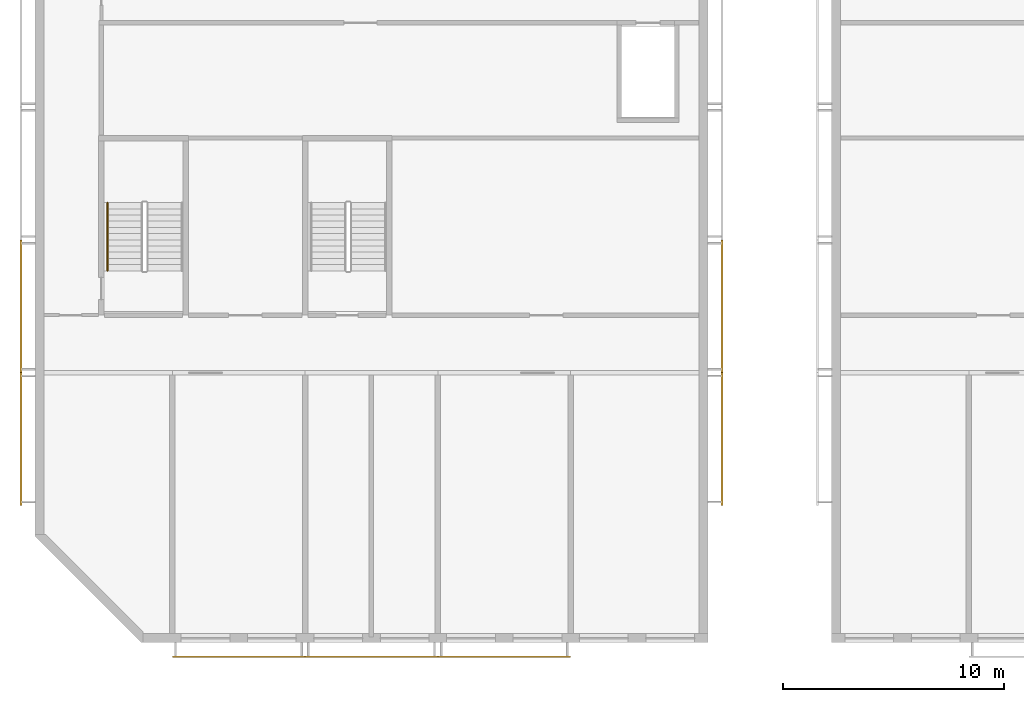
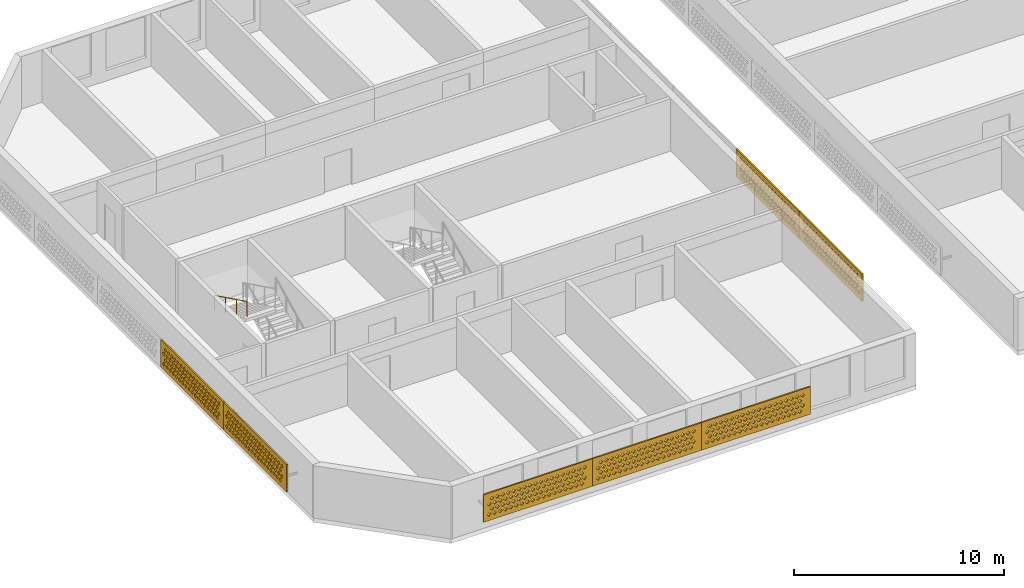
# One storey, part 7 of 18: 7 coverings, 1 railing.
"""IFC4 building model written with IfcOpenShell, lengths in metres."""

from ifc_helpers import new_model, si_unit, direction, frame, origin, origin_2d, place, context, subcontext, project, spatial, polyline, circle, outline, extrude, source, transform, mapped, material, material_profile, profile_set, type_object, element, save


model = new_model("IFC4")

# Units and contexts
model_context = context("Model", 3, precision=1e-05, world=origin(), true_north=direction((0.0, 1.0)))
body_context = subcontext(model_context, "Body", "Model", "MODEL_VIEW")
ifc_project = project(units=[si_unit("LENGTHUNIT", "METRE"), si_unit("AREAUNIT", "SQUARE_METRE"), si_unit("VOLUMEUNIT", "CUBIC_METRE"), si_unit("PLANEANGLEUNIT", "RADIAN"), si_unit("MASSUNIT", "GRAM", prefix="KILO")], contexts=[model_context])

# Site, building, storey
site_placement = place(None, origin())
site = spatial("IfcSite", under=ifc_project, at=site_placement, CompositionType="ELEMENT")
building_placement = place(site_placement, origin())
building = spatial("IfcBuilding", under=site, at=building_placement, Name="Poui Terraces", CompositionType="ELEMENT")
storey_placement = place(building_placement, frame((0.0, 0.0, 279.0)))
storey = spatial("IfcBuildingStorey", under=building, at=storey_placement, Name="L77 CROWN", CompositionType="ELEMENT", Elevation=279.0)

# Railing
ifc_material_1 = material(Name="Stainless steel handrail", Category="steel")
railing_type = type_object("IfcRailingType", Name="STAIR HANDRAIL 900", PredefinedType="HANDRAIL", material=ifc_material_1)
railing_placement = place(storey_placement, frame((21.074951171875, 19.679931640625, 1.78759765625)))
element("IfcRailing", 1, at=railing_placement, inside=storey, type_object=railing_type, Name="L77 CROWN ST-W stair handrail 2", PredefinedType="HANDRAIL", context=body_context, shape_type="SweptSolid", body=[
    extrude(circle(Radius=0.02392578125, at=origin_2d()), frame((0.0, 0.0, 0.8759765625), z_axis=(0.0, -0.897606190399, 0.440798283751), x_axis=(1.0, 0.0, 0.0)), (0.0, 0.0, 1.0), 3.43115234375),
    extrude(circle(Radius=0.02099609375, at=origin_2d()), origin(), (0.0, 0.0, 1.0), 0.851806640625),
    extrude(circle(Radius=0.02099609375, at=origin_2d()), frame((0.0, -1.026611328125, 0.504150390625)), (0.0, 0.0, 1.0), 0.851806640625),
    extrude(circle(Radius=0.02099609375, at=origin_2d()), frame((0.0, -2.05322265625, 1.00830078125)), (0.0, 0.0, 1.0), 0.851806640625),
    extrude(circle(Radius=0.02099609375, at=origin_2d()), frame((0.0, -3.079833984375, 1.512451171875)), (0.0, 0.0, 1.0), 0.851806640625),
])

# Coverings
ifc_material_2 = material(Name="Terracotta screen", Category="masonry")
ifc_material_profile = material_profile(ifc_material_2, outline(polyline([(-3.0, -0.800048828125), (3.0, -0.800048828125), (3.0, 0.800048828125), (-3.0, 0.800048828125), (-3.0, -0.800048828125)]), holes=[polyline([(-2.800048828125, -0.449951171875), (-2.68994140625, -0.56005859375), (-2.580078125, -0.449951171875), (-2.68994140625, -0.340087890625), (-2.800048828125, -0.449951171875)]), polyline([(-2.5, -0.449951171875), (-2.389892578125, -0.56005859375), (-2.280029296875, -0.449951171875), (-2.389892578125, -0.340087890625), (-2.5, -0.449951171875)]), polyline([(-2.199951171875, -0.449951171875), (-2.090087890625, -0.56005859375), (-1.97998046875, -0.449951171875), (-2.090087890625, -0.340087890625), (-2.199951171875, -0.449951171875)]), polyline([(-1.89990234375, -0.449951171875), (-1.7900390625, -0.56005859375), (-1.679931640625, -0.449951171875), (-1.7900390625, -0.340087890625), (-1.89990234375, -0.449951171875)]), polyline([(-1.60009765625, -0.449951171875), (-1.489990234375, -0.56005859375), (-1.3798828125, -0.449951171875), (-1.489990234375, -0.340087890625), (-1.60009765625, -0.449951171875)]), polyline([(-1.300048828125, -0.449951171875), (-1.18994140625, -0.56005859375), (-1.080078125, -0.449951171875), (-1.18994140625, -0.340087890625), (-1.300048828125, -0.449951171875)]), polyline([(-1.0, -0.449951171875), (-0.889892578125, -0.56005859375), (-0.780029296875, -0.449951171875), (-0.889892578125, -0.340087890625), (-1.0, -0.449951171875)]), polyline([(-0.699951171875, -0.449951171875), (-0.590087890625, -0.56005859375), (-0.47998046875, -0.449951171875), (-0.590087890625, -0.340087890625), (-0.699951171875, -0.449951171875)]), polyline([(-0.39990234375, -0.449951171875), (-0.2900390625, -0.56005859375), (-0.179931640625, -0.449951171875), (-0.2900390625, -0.340087890625), (-0.39990234375, -0.449951171875)]), polyline([(-0.10009765625, -0.449951171875), (0.010009765625, -0.56005859375), (0.1201171875, -0.449951171875), (0.010009765625, -0.340087890625), (-0.10009765625, -0.449951171875)]), polyline([(0.199951171875, -0.449951171875), (0.31005859375, -0.56005859375), (0.419921875, -0.449951171875), (0.31005859375, -0.340087890625), (0.199951171875, -0.449951171875)]), polyline([(0.5, -0.449951171875), (0.610107421875, -0.56005859375), (0.719970703125, -0.449951171875), (0.610107421875, -0.340087890625), (0.5, -0.449951171875)]), polyline([(0.800048828125, -0.449951171875), (0.909912109375, -0.56005859375), (1.02001953125, -0.449951171875), (0.909912109375, -0.340087890625), (0.800048828125, -0.449951171875)]), polyline([(1.10009765625, -0.449951171875), (1.2099609375, -0.56005859375), (1.320068359375, -0.449951171875), (1.2099609375, -0.340087890625), (1.10009765625, -0.449951171875)]), polyline([(1.39990234375, -0.449951171875), (1.510009765625, -0.56005859375), (1.6201171875, -0.449951171875), (1.510009765625, -0.340087890625), (1.39990234375, -0.449951171875)]), polyline([(1.699951171875, -0.449951171875), (1.81005859375, -0.56005859375), (1.919921875, -0.449951171875), (1.81005859375, -0.340087890625), (1.699951171875, -0.449951171875)]), polyline([(2.0, -0.449951171875), (2.110107421875, -0.56005859375), (2.219970703125, -0.449951171875), (2.110107421875, -0.340087890625), (2.0, -0.449951171875)]), polyline([(2.300048828125, -0.449951171875), (2.409912109375, -0.56005859375), (2.52001953125, -0.449951171875), (2.409912109375, -0.340087890625), (2.300048828125, -0.449951171875)]), polyline([(-2.64990234375, -0.14990234375), (-2.5400390625, -0.260009765625), (-2.429931640625, -0.14990234375), (-2.5400390625, -0.0400390625), (-2.64990234375, -0.14990234375)]), polyline([(-2.35009765625, -0.14990234375), (-2.239990234375, -0.260009765625), (-2.1298828125, -0.14990234375), (-2.239990234375, -0.0400390625), (-2.35009765625, -0.14990234375)]), polyline([(-2.050048828125, -0.14990234375), (-1.93994140625, -0.260009765625), (-1.830078125, -0.14990234375), (-1.93994140625, -0.0400390625), (-2.050048828125, -0.14990234375)]), polyline([(-1.75, -0.14990234375), (-1.639892578125, -0.260009765625), (-1.530029296875, -0.14990234375), (-1.639892578125, -0.0400390625), (-1.75, -0.14990234375)]), polyline([(-1.449951171875, -0.14990234375), (-1.340087890625, -0.260009765625), (-1.22998046875, -0.14990234375), (-1.340087890625, -0.0400390625), (-1.449951171875, -0.14990234375)]), polyline([(-1.14990234375, -0.14990234375), (-1.0400390625, -0.260009765625), (-0.929931640625, -0.14990234375), (-1.0400390625, -0.0400390625), (-1.14990234375, -0.14990234375)]), polyline([(-0.85009765625, -0.14990234375), (-0.739990234375, -0.260009765625), (-0.6298828125, -0.14990234375), (-0.739990234375, -0.0400390625), (-0.85009765625, -0.14990234375)]), polyline([(-0.550048828125, -0.14990234375), (-0.43994140625, -0.260009765625), (-0.330078125, -0.14990234375), (-0.43994140625, -0.0400390625), (-0.550048828125, -0.14990234375)]), polyline([(-0.25, -0.14990234375), (-0.139892578125, -0.260009765625), (-0.030029296875, -0.14990234375), (-0.139892578125, -0.0400390625), (-0.25, -0.14990234375)]), polyline([(0.050048828125, -0.14990234375), (0.159912109375, -0.260009765625), (0.27001953125, -0.14990234375), (0.159912109375, -0.0400390625), (0.050048828125, -0.14990234375)]), polyline([(0.35009765625, -0.14990234375), (0.4599609375, -0.260009765625), (0.570068359375, -0.14990234375), (0.4599609375, -0.0400390625), (0.35009765625, -0.14990234375)]), polyline([(0.64990234375, -0.14990234375), (0.760009765625, -0.260009765625), (0.8701171875, -0.14990234375), (0.760009765625, -0.0400390625), (0.64990234375, -0.14990234375)]), polyline([(0.949951171875, -0.14990234375), (1.06005859375, -0.260009765625), (1.169921875, -0.14990234375), (1.06005859375, -0.0400390625), (0.949951171875, -0.14990234375)]), polyline([(1.25, -0.14990234375), (1.360107421875, -0.260009765625), (1.469970703125, -0.14990234375), (1.360107421875, -0.0400390625), (1.25, -0.14990234375)]), polyline([(1.550048828125, -0.14990234375), (1.659912109375, -0.260009765625), (1.77001953125, -0.14990234375), (1.659912109375, -0.0400390625), (1.550048828125, -0.14990234375)]), polyline([(1.85009765625, -0.14990234375), (1.9599609375, -0.260009765625), (2.070068359375, -0.14990234375), (1.9599609375, -0.0400390625), (1.85009765625, -0.14990234375)]), polyline([(2.14990234375, -0.14990234375), (2.260009765625, -0.260009765625), (2.3701171875, -0.14990234375), (2.260009765625, -0.0400390625), (2.14990234375, -0.14990234375)]), polyline([(2.449951171875, -0.14990234375), (2.56005859375, -0.260009765625), (2.669921875, -0.14990234375), (2.56005859375, -0.0400390625), (2.449951171875, -0.14990234375)]), polyline([(-2.800048828125, 0.14990234375), (-2.68994140625, 0.0400390625), (-2.580078125, 0.14990234375), (-2.68994140625, 0.260009765625), (-2.800048828125, 0.14990234375)]), polyline([(-2.5, 0.14990234375), (-2.389892578125, 0.0400390625), (-2.280029296875, 0.14990234375), (-2.389892578125, 0.260009765625), (-2.5, 0.14990234375)]), polyline([(-2.199951171875, 0.14990234375), (-2.090087890625, 0.0400390625), (-1.97998046875, 0.14990234375), (-2.090087890625, 0.260009765625), (-2.199951171875, 0.14990234375)]), polyline([(-1.89990234375, 0.14990234375), (-1.7900390625, 0.0400390625), (-1.679931640625, 0.14990234375), (-1.7900390625, 0.260009765625), (-1.89990234375, 0.14990234375)]), polyline([(-1.60009765625, 0.14990234375), (-1.489990234375, 0.0400390625), (-1.3798828125, 0.14990234375), (-1.489990234375, 0.260009765625), (-1.60009765625, 0.14990234375)]), polyline([(-1.300048828125, 0.14990234375), (-1.18994140625, 0.0400390625), (-1.080078125, 0.14990234375), (-1.18994140625, 0.260009765625), (-1.300048828125, 0.14990234375)]), polyline([(-1.0, 0.14990234375), (-0.889892578125, 0.0400390625), (-0.780029296875, 0.14990234375), (-0.889892578125, 0.260009765625), (-1.0, 0.14990234375)]), polyline([(-0.699951171875, 0.14990234375), (-0.590087890625, 0.0400390625), (-0.47998046875, 0.14990234375), (-0.590087890625, 0.260009765625), (-0.699951171875, 0.14990234375)]), polyline([(-0.39990234375, 0.14990234375), (-0.2900390625, 0.0400390625), (-0.179931640625, 0.14990234375), (-0.2900390625, 0.260009765625), (-0.39990234375, 0.14990234375)]), polyline([(-0.10009765625, 0.14990234375), (0.010009765625, 0.0400390625), (0.1201171875, 0.14990234375), (0.010009765625, 0.260009765625), (-0.10009765625, 0.14990234375)]), polyline([(0.199951171875, 0.14990234375), (0.31005859375, 0.0400390625), (0.419921875, 0.14990234375), (0.31005859375, 0.260009765625), (0.199951171875, 0.14990234375)]), polyline([(0.5, 0.14990234375), (0.610107421875, 0.0400390625), (0.719970703125, 0.14990234375), (0.610107421875, 0.260009765625), (0.5, 0.14990234375)]), polyline([(0.800048828125, 0.14990234375), (0.909912109375, 0.0400390625), (1.02001953125, 0.14990234375), (0.909912109375, 0.260009765625), (0.800048828125, 0.14990234375)]), polyline([(1.10009765625, 0.14990234375), (1.2099609375, 0.0400390625), (1.320068359375, 0.14990234375), (1.2099609375, 0.260009765625), (1.10009765625, 0.14990234375)]), polyline([(1.39990234375, 0.14990234375), (1.510009765625, 0.0400390625), (1.6201171875, 0.14990234375), (1.510009765625, 0.260009765625), (1.39990234375, 0.14990234375)]), polyline([(1.699951171875, 0.14990234375), (1.81005859375, 0.0400390625), (1.919921875, 0.14990234375), (1.81005859375, 0.260009765625), (1.699951171875, 0.14990234375)]), polyline([(2.0, 0.14990234375), (2.110107421875, 0.0400390625), (2.219970703125, 0.14990234375), (2.110107421875, 0.260009765625), (2.0, 0.14990234375)]), polyline([(2.300048828125, 0.14990234375), (2.409912109375, 0.0400390625), (2.52001953125, 0.14990234375), (2.409912109375, 0.260009765625), (2.300048828125, 0.14990234375)]), polyline([(-2.64990234375, 0.449951171875), (-2.5400390625, 0.340087890625), (-2.429931640625, 0.449951171875), (-2.5400390625, 0.56005859375), (-2.64990234375, 0.449951171875)]), polyline([(-2.35009765625, 0.449951171875), (-2.239990234375, 0.340087890625), (-2.1298828125, 0.449951171875), (-2.239990234375, 0.56005859375), (-2.35009765625, 0.449951171875)]), polyline([(-2.050048828125, 0.449951171875), (-1.93994140625, 0.340087890625), (-1.830078125, 0.449951171875), (-1.93994140625, 0.56005859375), (-2.050048828125, 0.449951171875)]), polyline([(-1.75, 0.449951171875), (-1.639892578125, 0.340087890625), (-1.530029296875, 0.449951171875), (-1.639892578125, 0.56005859375), (-1.75, 0.449951171875)]), polyline([(-1.449951171875, 0.449951171875), (-1.340087890625, 0.340087890625), (-1.22998046875, 0.449951171875), (-1.340087890625, 0.56005859375), (-1.449951171875, 0.449951171875)]), polyline([(-1.14990234375, 0.449951171875), (-1.0400390625, 0.340087890625), (-0.929931640625, 0.449951171875), (-1.0400390625, 0.56005859375), (-1.14990234375, 0.449951171875)]), polyline([(-0.85009765625, 0.449951171875), (-0.739990234375, 0.340087890625), (-0.6298828125, 0.449951171875), (-0.739990234375, 0.56005859375), (-0.85009765625, 0.449951171875)]), polyline([(-0.550048828125, 0.449951171875), (-0.43994140625, 0.340087890625), (-0.330078125, 0.449951171875), (-0.43994140625, 0.56005859375), (-0.550048828125, 0.449951171875)]), polyline([(-0.25, 0.449951171875), (-0.139892578125, 0.340087890625), (-0.030029296875, 0.449951171875), (-0.139892578125, 0.56005859375), (-0.25, 0.449951171875)]), polyline([(0.050048828125, 0.449951171875), (0.159912109375, 0.340087890625), (0.27001953125, 0.449951171875), (0.159912109375, 0.56005859375), (0.050048828125, 0.449951171875)]), polyline([(0.35009765625, 0.449951171875), (0.4599609375, 0.340087890625), (0.570068359375, 0.449951171875), (0.4599609375, 0.56005859375), (0.35009765625, 0.449951171875)]), polyline([(0.64990234375, 0.449951171875), (0.760009765625, 0.340087890625), (0.8701171875, 0.449951171875), (0.760009765625, 0.56005859375), (0.64990234375, 0.449951171875)]), polyline([(0.949951171875, 0.449951171875), (1.06005859375, 0.340087890625), (1.169921875, 0.449951171875), (1.06005859375, 0.56005859375), (0.949951171875, 0.449951171875)]), polyline([(1.25, 0.449951171875), (1.360107421875, 0.340087890625), (1.469970703125, 0.449951171875), (1.360107421875, 0.56005859375), (1.25, 0.449951171875)]), polyline([(1.550048828125, 0.449951171875), (1.659912109375, 0.340087890625), (1.77001953125, 0.449951171875), (1.659912109375, 0.56005859375), (1.550048828125, 0.449951171875)]), polyline([(1.85009765625, 0.449951171875), (1.9599609375, 0.340087890625), (2.070068359375, 0.449951171875), (1.9599609375, 0.56005859375), (1.85009765625, 0.449951171875)]), polyline([(2.14990234375, 0.449951171875), (2.260009765625, 0.340087890625), (2.3701171875, 0.449951171875), (2.260009765625, 0.56005859375), (2.14990234375, 0.449951171875)]), polyline([(2.449951171875, 0.449951171875), (2.56005859375, 0.340087890625), (2.669921875, 0.449951171875), (2.56005859375, 0.56005859375), (2.449951171875, 0.449951171875)])]), Name="TERRACOTTA SOLAR SCREEN 6000X1600")
ifc_profile_set = profile_set([ifc_material_profile], Name="Terracotta screen")
covering_type = type_object("IfcCoveringType", Name="TERRACOTTA SOLAR SCREEN 6000X1600", PredefinedType="CLADDING", material=ifc_profile_set)
shared_shape = source(origin(), body_context, "Body", "SweptSolid", [
    extrude(outline(polyline([(-3.0, -0.800048828125), (3.0, -0.800048828125), (3.0, 0.800048828125), (-3.0, 0.800048828125), (-3.0, -0.800048828125)]), holes=[polyline([(-2.800048828125, -0.449951171875), (-2.68994140625, -0.56005859375), (-2.580078125, -0.449951171875), (-2.68994140625, -0.340087890625), (-2.800048828125, -0.449951171875)]), polyline([(-2.5, -0.449951171875), (-2.389892578125, -0.56005859375), (-2.280029296875, -0.449951171875), (-2.389892578125, -0.340087890625), (-2.5, -0.449951171875)]), polyline([(-2.199951171875, -0.449951171875), (-2.090087890625, -0.56005859375), (-1.97998046875, -0.449951171875), (-2.090087890625, -0.340087890625), (-2.199951171875, -0.449951171875)]), polyline([(-1.89990234375, -0.449951171875), (-1.7900390625, -0.56005859375), (-1.679931640625, -0.449951171875), (-1.7900390625, -0.340087890625), (-1.89990234375, -0.449951171875)]), polyline([(-1.60009765625, -0.449951171875), (-1.489990234375, -0.56005859375), (-1.3798828125, -0.449951171875), (-1.489990234375, -0.340087890625), (-1.60009765625, -0.449951171875)]), polyline([(-1.300048828125, -0.449951171875), (-1.18994140625, -0.56005859375), (-1.080078125, -0.449951171875), (-1.18994140625, -0.340087890625), (-1.300048828125, -0.449951171875)]), polyline([(-1.0, -0.449951171875), (-0.889892578125, -0.56005859375), (-0.780029296875, -0.449951171875), (-0.889892578125, -0.340087890625), (-1.0, -0.449951171875)]), polyline([(-0.699951171875, -0.449951171875), (-0.590087890625, -0.56005859375), (-0.47998046875, -0.449951171875), (-0.590087890625, -0.340087890625), (-0.699951171875, -0.449951171875)]), polyline([(-0.39990234375, -0.449951171875), (-0.2900390625, -0.56005859375), (-0.179931640625, -0.449951171875), (-0.2900390625, -0.340087890625), (-0.39990234375, -0.449951171875)]), polyline([(-0.10009765625, -0.449951171875), (0.010009765625, -0.56005859375), (0.1201171875, -0.449951171875), (0.010009765625, -0.340087890625), (-0.10009765625, -0.449951171875)]), polyline([(0.199951171875, -0.449951171875), (0.31005859375, -0.56005859375), (0.419921875, -0.449951171875), (0.31005859375, -0.340087890625), (0.199951171875, -0.449951171875)]), polyline([(0.5, -0.449951171875), (0.610107421875, -0.56005859375), (0.719970703125, -0.449951171875), (0.610107421875, -0.340087890625), (0.5, -0.449951171875)]), polyline([(0.800048828125, -0.449951171875), (0.909912109375, -0.56005859375), (1.02001953125, -0.449951171875), (0.909912109375, -0.340087890625), (0.800048828125, -0.449951171875)]), polyline([(1.10009765625, -0.449951171875), (1.2099609375, -0.56005859375), (1.320068359375, -0.449951171875), (1.2099609375, -0.340087890625), (1.10009765625, -0.449951171875)]), polyline([(1.39990234375, -0.449951171875), (1.510009765625, -0.56005859375), (1.6201171875, -0.449951171875), (1.510009765625, -0.340087890625), (1.39990234375, -0.449951171875)]), polyline([(1.699951171875, -0.449951171875), (1.81005859375, -0.56005859375), (1.919921875, -0.449951171875), (1.81005859375, -0.340087890625), (1.699951171875, -0.449951171875)]), polyline([(2.0, -0.449951171875), (2.110107421875, -0.56005859375), (2.219970703125, -0.449951171875), (2.110107421875, -0.340087890625), (2.0, -0.449951171875)]), polyline([(2.300048828125, -0.449951171875), (2.409912109375, -0.56005859375), (2.52001953125, -0.449951171875), (2.409912109375, -0.340087890625), (2.300048828125, -0.449951171875)]), polyline([(-2.64990234375, -0.14990234375), (-2.5400390625, -0.260009765625), (-2.429931640625, -0.14990234375), (-2.5400390625, -0.0400390625), (-2.64990234375, -0.14990234375)]), polyline([(-2.35009765625, -0.14990234375), (-2.239990234375, -0.260009765625), (-2.1298828125, -0.14990234375), (-2.239990234375, -0.0400390625), (-2.35009765625, -0.14990234375)]), polyline([(-2.050048828125, -0.14990234375), (-1.93994140625, -0.260009765625), (-1.830078125, -0.14990234375), (-1.93994140625, -0.0400390625), (-2.050048828125, -0.14990234375)]), polyline([(-1.75, -0.14990234375), (-1.639892578125, -0.260009765625), (-1.530029296875, -0.14990234375), (-1.639892578125, -0.0400390625), (-1.75, -0.14990234375)]), polyline([(-1.449951171875, -0.14990234375), (-1.340087890625, -0.260009765625), (-1.22998046875, -0.14990234375), (-1.340087890625, -0.0400390625), (-1.449951171875, -0.14990234375)]), polyline([(-1.14990234375, -0.14990234375), (-1.0400390625, -0.260009765625), (-0.929931640625, -0.14990234375), (-1.0400390625, -0.0400390625), (-1.14990234375, -0.14990234375)]), polyline([(-0.85009765625, -0.14990234375), (-0.739990234375, -0.260009765625), (-0.6298828125, -0.14990234375), (-0.739990234375, -0.0400390625), (-0.85009765625, -0.14990234375)]), polyline([(-0.550048828125, -0.14990234375), (-0.43994140625, -0.260009765625), (-0.330078125, -0.14990234375), (-0.43994140625, -0.0400390625), (-0.550048828125, -0.14990234375)]), polyline([(-0.25, -0.14990234375), (-0.139892578125, -0.260009765625), (-0.030029296875, -0.14990234375), (-0.139892578125, -0.0400390625), (-0.25, -0.14990234375)]), polyline([(0.050048828125, -0.14990234375), (0.159912109375, -0.260009765625), (0.27001953125, -0.14990234375), (0.159912109375, -0.0400390625), (0.050048828125, -0.14990234375)]), polyline([(0.35009765625, -0.14990234375), (0.4599609375, -0.260009765625), (0.570068359375, -0.14990234375), (0.4599609375, -0.0400390625), (0.35009765625, -0.14990234375)]), polyline([(0.64990234375, -0.14990234375), (0.760009765625, -0.260009765625), (0.8701171875, -0.14990234375), (0.760009765625, -0.0400390625), (0.64990234375, -0.14990234375)]), polyline([(0.949951171875, -0.14990234375), (1.06005859375, -0.260009765625), (1.169921875, -0.14990234375), (1.06005859375, -0.0400390625), (0.949951171875, -0.14990234375)]), polyline([(1.25, -0.14990234375), (1.360107421875, -0.260009765625), (1.469970703125, -0.14990234375), (1.360107421875, -0.0400390625), (1.25, -0.14990234375)]), polyline([(1.550048828125, -0.14990234375), (1.659912109375, -0.260009765625), (1.77001953125, -0.14990234375), (1.659912109375, -0.0400390625), (1.550048828125, -0.14990234375)]), polyline([(1.85009765625, -0.14990234375), (1.9599609375, -0.260009765625), (2.070068359375, -0.14990234375), (1.9599609375, -0.0400390625), (1.85009765625, -0.14990234375)]), polyline([(2.14990234375, -0.14990234375), (2.260009765625, -0.260009765625), (2.3701171875, -0.14990234375), (2.260009765625, -0.0400390625), (2.14990234375, -0.14990234375)]), polyline([(2.449951171875, -0.14990234375), (2.56005859375, -0.260009765625), (2.669921875, -0.14990234375), (2.56005859375, -0.0400390625), (2.449951171875, -0.14990234375)]), polyline([(-2.800048828125, 0.14990234375), (-2.68994140625, 0.0400390625), (-2.580078125, 0.14990234375), (-2.68994140625, 0.260009765625), (-2.800048828125, 0.14990234375)]), polyline([(-2.5, 0.14990234375), (-2.389892578125, 0.0400390625), (-2.280029296875, 0.14990234375), (-2.389892578125, 0.260009765625), (-2.5, 0.14990234375)]), polyline([(-2.199951171875, 0.14990234375), (-2.090087890625, 0.0400390625), (-1.97998046875, 0.14990234375), (-2.090087890625, 0.260009765625), (-2.199951171875, 0.14990234375)]), polyline([(-1.89990234375, 0.14990234375), (-1.7900390625, 0.0400390625), (-1.679931640625, 0.14990234375), (-1.7900390625, 0.260009765625), (-1.89990234375, 0.14990234375)]), polyline([(-1.60009765625, 0.14990234375), (-1.489990234375, 0.0400390625), (-1.3798828125, 0.14990234375), (-1.489990234375, 0.260009765625), (-1.60009765625, 0.14990234375)]), polyline([(-1.300048828125, 0.14990234375), (-1.18994140625, 0.0400390625), (-1.080078125, 0.14990234375), (-1.18994140625, 0.260009765625), (-1.300048828125, 0.14990234375)]), polyline([(-1.0, 0.14990234375), (-0.889892578125, 0.0400390625), (-0.780029296875, 0.14990234375), (-0.889892578125, 0.260009765625), (-1.0, 0.14990234375)]), polyline([(-0.699951171875, 0.14990234375), (-0.590087890625, 0.0400390625), (-0.47998046875, 0.14990234375), (-0.590087890625, 0.260009765625), (-0.699951171875, 0.14990234375)]), polyline([(-0.39990234375, 0.14990234375), (-0.2900390625, 0.0400390625), (-0.179931640625, 0.14990234375), (-0.2900390625, 0.260009765625), (-0.39990234375, 0.14990234375)]), polyline([(-0.10009765625, 0.14990234375), (0.010009765625, 0.0400390625), (0.1201171875, 0.14990234375), (0.010009765625, 0.260009765625), (-0.10009765625, 0.14990234375)]), polyline([(0.199951171875, 0.14990234375), (0.31005859375, 0.0400390625), (0.419921875, 0.14990234375), (0.31005859375, 0.260009765625), (0.199951171875, 0.14990234375)]), polyline([(0.5, 0.14990234375), (0.610107421875, 0.0400390625), (0.719970703125, 0.14990234375), (0.610107421875, 0.260009765625), (0.5, 0.14990234375)]), polyline([(0.800048828125, 0.14990234375), (0.909912109375, 0.0400390625), (1.02001953125, 0.14990234375), (0.909912109375, 0.260009765625), (0.800048828125, 0.14990234375)]), polyline([(1.10009765625, 0.14990234375), (1.2099609375, 0.0400390625), (1.320068359375, 0.14990234375), (1.2099609375, 0.260009765625), (1.10009765625, 0.14990234375)]), polyline([(1.39990234375, 0.14990234375), (1.510009765625, 0.0400390625), (1.6201171875, 0.14990234375), (1.510009765625, 0.260009765625), (1.39990234375, 0.14990234375)]), polyline([(1.699951171875, 0.14990234375), (1.81005859375, 0.0400390625), (1.919921875, 0.14990234375), (1.81005859375, 0.260009765625), (1.699951171875, 0.14990234375)]), polyline([(2.0, 0.14990234375), (2.110107421875, 0.0400390625), (2.219970703125, 0.14990234375), (2.110107421875, 0.260009765625), (2.0, 0.14990234375)]), polyline([(2.300048828125, 0.14990234375), (2.409912109375, 0.0400390625), (2.52001953125, 0.14990234375), (2.409912109375, 0.260009765625), (2.300048828125, 0.14990234375)]), polyline([(-2.64990234375, 0.449951171875), (-2.5400390625, 0.340087890625), (-2.429931640625, 0.449951171875), (-2.5400390625, 0.56005859375), (-2.64990234375, 0.449951171875)]), polyline([(-2.35009765625, 0.449951171875), (-2.239990234375, 0.340087890625), (-2.1298828125, 0.449951171875), (-2.239990234375, 0.56005859375), (-2.35009765625, 0.449951171875)]), polyline([(-2.050048828125, 0.449951171875), (-1.93994140625, 0.340087890625), (-1.830078125, 0.449951171875), (-1.93994140625, 0.56005859375), (-2.050048828125, 0.449951171875)]), polyline([(-1.75, 0.449951171875), (-1.639892578125, 0.340087890625), (-1.530029296875, 0.449951171875), (-1.639892578125, 0.56005859375), (-1.75, 0.449951171875)]), polyline([(-1.449951171875, 0.449951171875), (-1.340087890625, 0.340087890625), (-1.22998046875, 0.449951171875), (-1.340087890625, 0.56005859375), (-1.449951171875, 0.449951171875)]), polyline([(-1.14990234375, 0.449951171875), (-1.0400390625, 0.340087890625), (-0.929931640625, 0.449951171875), (-1.0400390625, 0.56005859375), (-1.14990234375, 0.449951171875)]), polyline([(-0.85009765625, 0.449951171875), (-0.739990234375, 0.340087890625), (-0.6298828125, 0.449951171875), (-0.739990234375, 0.56005859375), (-0.85009765625, 0.449951171875)]), polyline([(-0.550048828125, 0.449951171875), (-0.43994140625, 0.340087890625), (-0.330078125, 0.449951171875), (-0.43994140625, 0.56005859375), (-0.550048828125, 0.449951171875)]), polyline([(-0.25, 0.449951171875), (-0.139892578125, 0.340087890625), (-0.030029296875, 0.449951171875), (-0.139892578125, 0.56005859375), (-0.25, 0.449951171875)]), polyline([(0.050048828125, 0.449951171875), (0.159912109375, 0.340087890625), (0.27001953125, 0.449951171875), (0.159912109375, 0.56005859375), (0.050048828125, 0.449951171875)]), polyline([(0.35009765625, 0.449951171875), (0.4599609375, 0.340087890625), (0.570068359375, 0.449951171875), (0.4599609375, 0.56005859375), (0.35009765625, 0.449951171875)]), polyline([(0.64990234375, 0.449951171875), (0.760009765625, 0.340087890625), (0.8701171875, 0.449951171875), (0.760009765625, 0.56005859375), (0.64990234375, 0.449951171875)]), polyline([(0.949951171875, 0.449951171875), (1.06005859375, 0.340087890625), (1.169921875, 0.449951171875), (1.06005859375, 0.56005859375), (0.949951171875, 0.449951171875)]), polyline([(1.25, 0.449951171875), (1.360107421875, 0.340087890625), (1.469970703125, 0.449951171875), (1.360107421875, 0.56005859375), (1.25, 0.449951171875)]), polyline([(1.550048828125, 0.449951171875), (1.659912109375, 0.340087890625), (1.77001953125, 0.449951171875), (1.659912109375, 0.56005859375), (1.550048828125, 0.449951171875)]), polyline([(1.85009765625, 0.449951171875), (1.9599609375, 0.340087890625), (2.070068359375, 0.449951171875), (1.9599609375, 0.56005859375), (1.85009765625, 0.449951171875)]), polyline([(2.14990234375, 0.449951171875), (2.260009765625, 0.340087890625), (2.3701171875, 0.449951171875), (2.260009765625, 0.56005859375), (2.14990234375, 0.449951171875)]), polyline([(2.449951171875, 0.449951171875), (2.56005859375, 0.340087890625), (2.669921875, 0.449951171875), (2.56005859375, 0.56005859375), (2.449951171875, 0.449951171875)])]), origin(), (0.0, 0.0, 1.0), 0.079833984375),
])
for number, where, z_axis, x_axis, name in (
    (2, (27.0, -0.800048828125, 1.699951171875), (0.0, -1.0, 0.0), (1.0, 0.0, 0.0), "SOLAR SCREEN"),
    (3, (33.0, -0.800048828125, 1.699951171875), (0.0, -1.0, 0.0), (1.0, 0.0, 0.0), "SOLAR SCREEN"),
    (4, (39.0, -0.800048828125, 1.699951171875), (0.0, -1.0, 0.0), (1.0, 0.0, 0.0), "SOLAR SCREEN"),
    (5, (48.800048828125, 9.0, 1.699951171875), (1.0, 0.0, 0.0), (0.0, 1.0, 0.0), "SOLAR SCREEN"),
    (6, (48.800048828125, 15.0, 1.699951171875), (1.0, 0.0, 0.0), (0.0, 1.0, 0.0), "SOLAR SCREEN"),
    (7, (17.199951171875, 9.0, 1.699951171875), (-1.0, 0.0, 0.0), (0.0, -1.0, 0.0), "SOLAR SCREEN"),
    (8, (17.199951171875, 15.0, 1.699951171875), (-1.0, 0.0, 0.0), (0.0, -1.0, 0.0), "SOLAR SCREEN"),
):
    element("IfcCovering", number, at=place(storey_placement, frame(where, z_axis=z_axis, x_axis=x_axis)), inside=storey, type_object=covering_type, Name=name, PredefinedType="CLADDING", context=body_context, shape_type="MappedRepresentation", body=[
        mapped(shared_shape, transform((0.0, 0.0, 0.0))),
    ])

save(model, "model.ifc")
